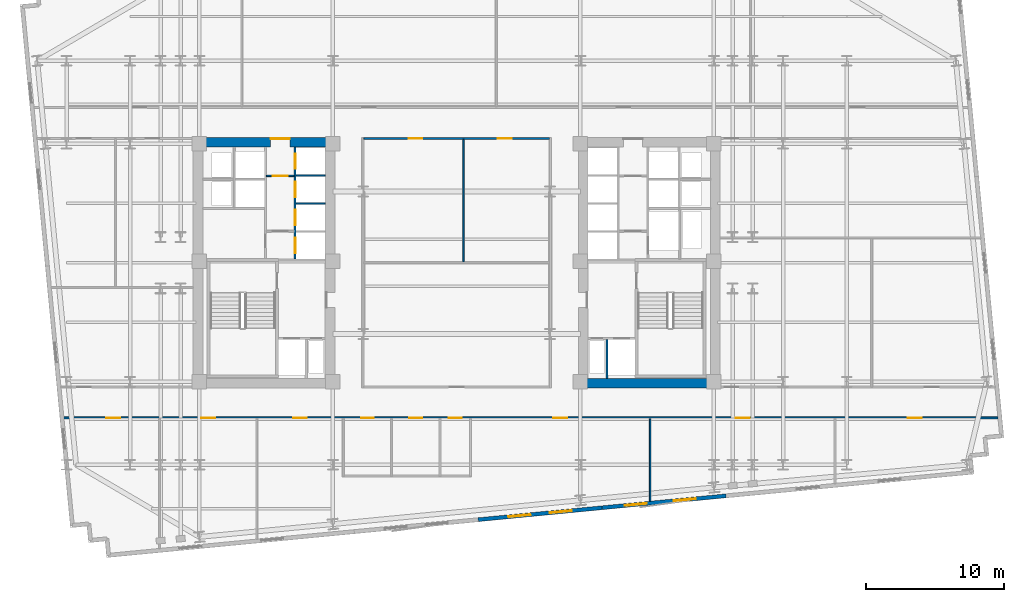
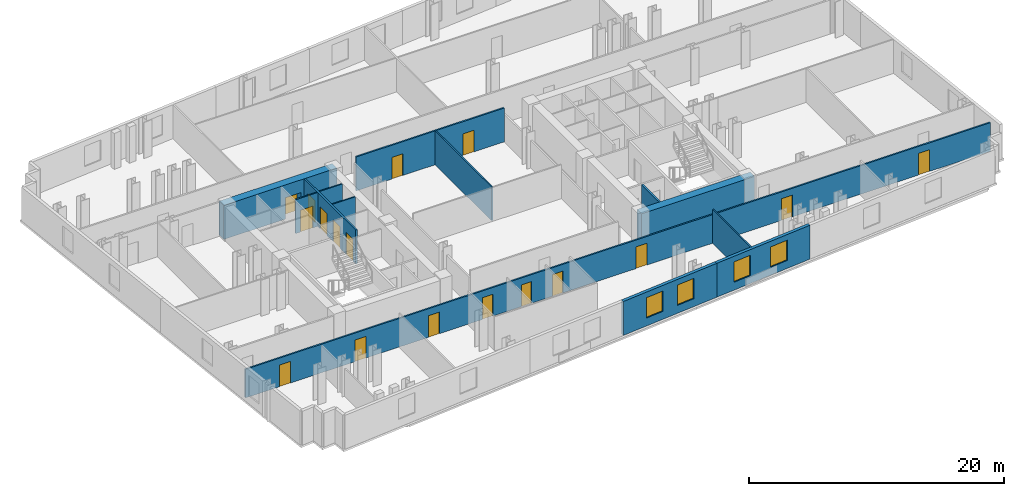
# One storey, part 5 of 10: 17 doors, 13 walls, 4 windows, 21 openings.
"""IFC4 building model written with IfcOpenShell, lengths in metres."""

from ifc_helpers import new_model, si_unit, direction, frame, frame_2d, origin, place, context, subcontext, project, spatial, rectangle, extrude, material, layer, layer_set, type_object, element, fill, save


model = new_model("IFC4")

# Units and contexts
model_context = context("Model", 3, precision=1e-05, world=origin(), true_north=direction((0.0, 1.0)))
body_context = subcontext(model_context, "Body", "Model", "MODEL_VIEW")
ifc_project = project(units=[si_unit("LENGTHUNIT", "METRE"), si_unit("AREAUNIT", "SQUARE_METRE"), si_unit("VOLUMEUNIT", "CUBIC_METRE"), si_unit("PLANEANGLEUNIT", "RADIAN"), si_unit("MASSUNIT", "GRAM", prefix="KILO")], contexts=[model_context])

# Site, building, storey
site_placement = place(None, origin())
site = spatial("IfcSite", under=ifc_project, at=site_placement, CompositionType="ELEMENT")
building_placement = place(site_placement, origin())
building = spatial("IfcBuilding", under=site, at=building_placement, Name="Velakula Bourse", CompositionType="ELEMENT")
storey_placement = place(building_placement, frame((0.0, 0.0, 94.89990234375)))
storey = spatial("IfcBuildingStorey", under=building, at=storey_placement, Name="L25", CompositionType="ELEMENT", Elevation=94.89990234375)

# Wall, opening, door
ifc_material_1 = material(Name="Concrete M70 (fck 70 MPa)", Category="concrete")
ifc_layer_1 = layer(ifc_material_1, 0.699951171875, Name="Concrete M70 (fck 70 MPa)", Category="concrete")
ifc_layer_set_1 = layer_set([ifc_layer_1], Name="Concrete M70 (fck 70 MPa)")
wall_type_1 = type_object("IfcWallType", Name="WL-CORE-700", PredefinedType="SHEAR", material=ifc_layer_set_1)
wall_1_placement = place(storey_placement, frame((-19.050048828125, 8.699951171875, 0.0), z_axis=(0.0, 0.0, 1.0), x_axis=(1.0, 0.0, 0.0)))
wall_1 = element("IfcWall", 1, at=wall_1_placement, inside=storey, type_object=wall_type_1, Name="L25 Core W Shear Wall N", PredefinedType="SHEAR", context=body_context, shape_type="SweptSolid", body=[
    extrude(rectangle(XDim=10.25, YDim=0.699951171875, at=frame_2d((5.125, 0.0))), origin(), (0.0, 0.0, 1.0), 3.27001953125),
])
opening_1_placement = place(wall_1_placement, frame((5.60009765625, 0.0, 0.0)))
opening_1 = element("IfcOpeningElement", 2, at=opening_1_placement, cuts=wall_1, Name="Opening D-LLW", PredefinedType="OPENING", context=body_context, shape_type="SweptSolid", body=[
    extrude(rectangle(XDim=1.39990234375, YDim=2.050048828125, at=frame_2d((0.699951171875, 1.02490234375))), frame((0.0, 0.35986328125, 0.0), z_axis=(0.0, -1.0, 0.0), x_axis=(1.0, 0.0, 0.0)), (0.0, 0.0, 1.0), 0.719970703125),
])
ifc_material_2 = material(Name="Fire-rated hardwood flush architectural door", Category="wood")
door_type_1 = type_object("IfcDoorType", Name="DR-DBL-FD60-1400", OperationType="DOUBLE_DOOR_SINGLE_SWING", PredefinedType="DOOR", material=ifc_material_2)
door_1_placement = place(opening_1_placement, origin())
door_1 = element("IfcDoor", 3, at=door_1_placement, inside=storey, type_object=door_type_1, Name="L25 Core W Lift Lobby Corridor Double Door", OperationType="DOUBLE_DOOR_SINGLE_SWING", OverallHeight=2.050048828125, OverallWidth=1.39990234375, PredefinedType="DOOR", context=body_context, shape_type="SweptSolid", body=[
    extrude(rectangle(XDim=1.39990234375, YDim=2.050048828125, at=frame_2d((0.699951171875, 1.02490234375))), frame((0.0, 0.294921875, 0.0), z_axis=(0.0, -1.0, 0.0), x_axis=(1.0, 0.0, 0.0)), (0.0, 0.0, 1.0), 0.050048828125),
])
fill(opening_1, door_1)

# Wall
wall_2_placement = place(storey_placement, frame((8.800048828125, -8.699951171875, 0.0), z_axis=(0.0, 0.0, 1.0), x_axis=(1.0, 0.0, 0.0)))
element("IfcWall", 4, at=wall_2_placement, inside=storey, type_object=wall_type_1, Name="L25 Core E Shear Wall S", PredefinedType="SHEAR", context=body_context, shape_type="SweptSolid", body=[
    extrude(rectangle(XDim=10.25, YDim=0.699951171875, at=frame_2d((5.125, 0.0))), origin(), (0.0, 0.0, 1.0), 3.27001953125),
])

# Wall, openings, windows
ifc_material_3 = material(Name="Red kilned clay facing brick masonry", Category="masonry")
ifc_layer_2 = layer(ifc_material_3, 0.280029296875, Name="Red kilned clay facing brick masonry", Category="masonry")
ifc_layer_set_2 = layer_set([ifc_layer_2], Name="Red kilned clay facing brick masonry")
wall_type_2 = type_object("IfcWallType", Name="WL-EXT-BRK-280", PredefinedType="STANDARD", material=ifc_layer_set_2)
wall_3_placement = place(storey_placement, frame((10.51513671875, -17.7109375, 0.0), z_axis=(0.0, 0.0, 1.0), x_axis=(-0.995397043619, -0.095836973841, 0.0)))
wall_3 = element("IfcWall", 5, at=wall_3_placement, inside=storey, type_object=wall_type_2, Name="L25 S Brick Spandrel Wall B3", PredefinedType="STANDARD", context=body_context, shape_type="SweptSolid", body=[
    extrude(rectangle(XDim=9.000244140625, YDim=0.280029296875, at=frame_2d((4.5, 0.0))), origin(), (0.0, 0.0, 1.0), 3.25),
])
opening_2_placement = place(wall_3_placement, frame((2.199951171875, 0.0, 0.760009765625)))
opening_2 = element("IfcOpeningElement", 6, at=opening_2_placement, cuts=wall_3, Name="Opening W-02", PredefinedType="OPENING", context=body_context, shape_type="SweptSolid", body=[
    extrude(rectangle(XDim=1.60009765625, YDim=1.949951171875, at=frame_2d((0.800048828125, 0.97509765625))), frame((0.0, 0.14990234375, 0.0), z_axis=(0.0, -1.0, 0.0), x_axis=(1.0, 0.0, 0.0)), (0.0, 0.0, 1.0), 0.300048828125),
])
opening_3_placement = place(wall_3_placement, frame((5.199951171875, 0.0, 0.760009765625)))
opening_3 = element("IfcOpeningElement", 7, at=opening_3_placement, cuts=wall_3, Name="Opening W-02", PredefinedType="OPENING", context=body_context, shape_type="SweptSolid", body=[
    extrude(rectangle(XDim=1.60009765625, YDim=1.949951171875, at=frame_2d((0.800048828125, 0.97509765625))), frame((0.0, 0.14990234375, 0.0), z_axis=(0.0, -1.0, 0.0), x_axis=(1.0, 0.0, 0.0)), (0.0, 0.0, 1.0), 0.300048828125),
])
ifc_material_4 = material(Name="Double-glazed solar-control Low-E glass", Category="glass")
window_type = type_object("IfcWindowType", Name="WIN-TWR-1600x2100", PartitioningType="SINGLE_PANEL", PredefinedType="WINDOW", material=ifc_material_4)
window_1_placement = place(opening_2_placement, origin())
window_1 = element("IfcWindow", 8, at=window_1_placement, inside=storey, type_object=window_type, Name="L25 Deep-Set Recessed Window 1", OverallHeight=1.949951171875, OverallWidth=1.60009765625, PartitioningType="SINGLE_PANEL", PredefinedType="WINDOW", context=body_context, shape_type="SweptSolid", body=[
    extrude(rectangle(XDim=1.60009765625, YDim=1.949951171875, at=frame_2d((0.800048828125, 0.97509765625))), frame((0.0, 0.030029296875, 0.0), z_axis=(0.0, -1.0, 0.0), x_axis=(1.0, 0.0, 0.0)), (0.0, 0.0, 1.0), 0.06005859375),
])
fill(opening_2, window_1)
window_2_placement = place(opening_3_placement, origin())
window_2 = element("IfcWindow", 9, at=window_2_placement, inside=storey, type_object=window_type, Name="L25 Deep-Set Recessed Window 2", OverallHeight=1.949951171875, OverallWidth=1.60009765625, PartitioningType="SINGLE_PANEL", PredefinedType="WINDOW", context=body_context, shape_type="SweptSolid", body=[
    extrude(rectangle(XDim=1.60009765625, YDim=1.949951171875, at=frame_2d((0.800048828125, 0.97509765625))), frame((0.0, 0.030029296875, 0.0), z_axis=(0.0, -1.0, 0.0), x_axis=(1.0, 0.0, 0.0)), (0.0, 0.0, 1.0), 0.06005859375),
])
fill(opening_3, window_2)

wall_4_placement = place(storey_placement, frame((19.4736328125, -16.848388671875, 0.0), z_axis=(0.0, 0.0, 1.0), x_axis=(-0.995396794462, -0.09583956164, 0.0)))
wall_4 = element("IfcWall", 10, at=wall_4_placement, inside=storey, type_object=wall_type_2, Name="L25 S Brick Spandrel Wall B4", PredefinedType="STANDARD", context=body_context, shape_type="SweptSolid", body=[
    extrude(rectangle(XDim=9.0, YDim=0.280029296875, at=frame_2d((4.5, 0.0))), origin(), (0.0, 0.0, 1.0), 3.25),
])
opening_4_placement = place(wall_4_placement, frame((2.199951171875, 0.0, 0.760009765625)))
opening_4 = element("IfcOpeningElement", 11, at=opening_4_placement, cuts=wall_4, Name="Opening W-02", PredefinedType="OPENING", context=body_context, shape_type="SweptSolid", body=[
    extrude(rectangle(XDim=1.60009765625, YDim=1.949951171875, at=frame_2d((0.800048828125, 0.97509765625))), frame((0.0, 0.14990234375, 0.0), z_axis=(0.0, -1.0, 0.0), x_axis=(1.0, 0.0, 0.0)), (0.0, 0.0, 1.0), 0.300048828125),
])
opening_5_placement = place(wall_4_placement, frame((5.75, 0.0, 0.760009765625)))
opening_5 = element("IfcOpeningElement", 12, at=opening_5_placement, cuts=wall_4, Name="Opening W-02", PredefinedType="OPENING", context=body_context, shape_type="SweptSolid", body=[
    extrude(rectangle(XDim=1.60009765625, YDim=1.949951171875, at=frame_2d((0.800048828125, 0.97509765625))), frame((0.0, 0.14990234375, 0.0), z_axis=(0.0, -1.0, 0.0), x_axis=(1.0, 0.0, 0.0)), (0.0, 0.0, 1.0), 0.300048828125),
])
window_3_placement = place(opening_4_placement, origin())
window_3 = element("IfcWindow", 13, at=window_3_placement, inside=storey, type_object=window_type, Name="L25 Deep-Set Recessed Window 1", OverallHeight=1.949951171875, OverallWidth=1.60009765625, PartitioningType="SINGLE_PANEL", PredefinedType="WINDOW", context=body_context, shape_type="SweptSolid", body=[
    extrude(rectangle(XDim=1.60009765625, YDim=1.949951171875, at=frame_2d((0.800048828125, 0.97509765625))), frame((0.0, 0.030029296875, 0.0), z_axis=(0.0, -1.0, 0.0), x_axis=(1.0, 0.0, 0.0)), (0.0, 0.0, 1.0), 0.06005859375),
])
fill(opening_4, window_3)
window_4_placement = place(opening_5_placement, origin())
window_4 = element("IfcWindow", 14, at=window_4_placement, inside=storey, type_object=window_type, Name="L25 Deep-Set Recessed Window 2", OverallHeight=1.949951171875, OverallWidth=1.60009765625, PartitioningType="SINGLE_PANEL", PredefinedType="WINDOW", context=body_context, shape_type="SweptSolid", body=[
    extrude(rectangle(XDim=1.60009765625, YDim=1.949951171875, at=frame_2d((0.800048828125, 0.97509765625))), frame((0.0, 0.030029296875, 0.0), z_axis=(0.0, -1.0, 0.0), x_axis=(1.0, 0.0, 0.0)), (0.0, 0.0, 1.0), 0.06005859375),
])
fill(opening_5, window_4)

# Wall, opening, door
ifc_material_5 = material(Name="Fire-rated double-layer gypsum drywall partition", Category="gypsum")
ifc_layer_3 = layer(ifc_material_5, 0.1201171875, Name="Fire-rated double-layer gypsum drywall partition", Category="gypsum")
ifc_layer_set_3 = layer_set([ifc_layer_3], Name="Fire-rated double-layer gypsum drywall partition")
wall_type_3 = type_object("IfcWallType", Name="WL-PART-120", PredefinedType="STANDARD", material=ifc_layer_set_3)
wall_5_placement = place(storey_placement, frame((-13.75, 6.280029296875, 0.0), z_axis=(0.0, 0.0, 1.0), x_axis=(1.0, 0.0, 0.0)))
wall_5 = element("IfcWall", 15, at=wall_5_placement, inside=storey, type_object=wall_type_3, Name="L25 Interior Partition WL-CRW-L25-LL-K3B", PredefinedType="STANDARD", context=body_context, shape_type="SweptSolid", body=[
    extrude(rectangle(XDim=2.0, YDim=0.1201171875, at=frame_2d((1.0, 0.0))), origin(), (0.0, 0.0, 1.0), 3.25),
])
opening_6_placement = place(wall_5_placement, frame((0.449951171875, 0.0, 0.0)))
opening_6 = element("IfcOpeningElement", 16, at=opening_6_placement, cuts=wall_5, Name="Opening D-LK3", PredefinedType="OPENING", context=body_context, shape_type="SweptSolid", body=[
    extrude(rectangle(XDim=1.10009765625, YDim=2.10009765625, at=frame_2d((0.550048828125, 1.050048828125))), frame((0.0, 0.070068359375, 0.0), z_axis=(0.0, -1.0, 0.0), x_axis=(1.0, 0.0, 0.0)), (0.0, 0.0, 1.0), 0.14013671875),
])
door_type_2 = type_object("IfcDoorType", Name="DR-FD60-1100x2100", OperationType="NOTDEFINED", PredefinedType="DOOR", material=ifc_material_2)
door_2_placement = place(opening_6_placement, origin())
door_2 = element("IfcDoor", 17, at=door_2_placement, inside=storey, type_object=door_type_2, Name="L25 Core W Lift Lobby Vestibule Door B", OperationType="SINGLE_SWING_RIGHT", OverallHeight=2.10009765625, OverallWidth=1.10009765625, PredefinedType="DOOR", context=body_context, shape_type="SweptSolid", body=[
    extrude(rectangle(XDim=1.10009765625, YDim=2.10009765625, at=frame_2d((0.550048828125, 1.050048828125))), frame((0.0, 0.02490234375, 0.0), z_axis=(0.0, -1.0, 0.0), x_axis=(1.0, 0.0, 0.0)), (0.0, 0.0, 1.0), 0.050048828125),
])
fill(opening_6, door_2)

# Walls
for number, where, z_axis, x_axis, name in (
    (18, (-11.60009765625, 4.284912109375, 0.0), (0.0, 0.0, 1.0), (1.0, 0.0, 0.0), "L25 Interior Partition WL-CRW-L25-BDIV-1"),
    (19, (-11.60009765625, 6.31494140625, 0.0), (0.0, 0.0, 1.0), (1.0, 0.0, 0.0), "L25 Interior Partition WL-CRW-L25-BDIV-2"),
):
    element("IfcWall", number, at=place(storey_placement, frame(where, z_axis=z_axis, x_axis=x_axis)), inside=storey, type_object=wall_type_3, Name=name, PredefinedType="STANDARD", context=body_context, shape_type="SweptSolid", body=[
        extrude(rectangle(XDim=2.10009765625, YDim=0.110107421875, at=frame_2d((1.050048828125, 0.0))), origin(), (0.0, 0.0, 1.0), 3.25),
    ])
wall_6_placement = place(storey_placement, frame((13.986083984375, -17.256103515625, 0.0), z_axis=(0.0, 0.0, 1.0), x_axis=(0.0, 1.0, 0.0)))
element("IfcWall", 20, at=wall_6_placement, inside=storey, type_object=wall_type_3, Name="L25 Interior Partition WL-INT-L25-SR-D7", PredefinedType="STANDARD", context=body_context, shape_type="SweptSolid", body=[
    extrude(rectangle(XDim=5.966064453125, YDim=0.1201171875, at=frame_2d((2.98291015625, 0.0))), origin(), (0.0, 0.0, 1.0), 3.25),
])

# Wall, openings, doors
ifc_layer_4 = layer(ifc_material_5, 0.139892578125, Name="Fire-rated double-layer gypsum drywall partition", Category="gypsum")
ifc_layer_set_4 = layer_set([ifc_layer_4], Name="Fire-rated double-layer gypsum drywall partition")
wall_type_4 = type_object("IfcWallType", Name="WL-PART-140", PredefinedType="STANDARD", material=ifc_layer_set_4)
wall_7_placement = place(storey_placement, frame((-28.40625, -11.219970703125, 0.0), z_axis=(0.0, 0.0, 1.0), x_axis=(1.0, 0.0, 0.0)))
wall_7 = element("IfcWall", 21, at=wall_7_placement, inside=storey, type_object=wall_type_4, Name="L25 Interior Partition WL-INT-L25-S-CORR", PredefinedType="STANDARD", context=body_context, shape_type="SweptSolid", body=[
    extrude(rectangle(XDim=67.551025390625, YDim=0.139892578125, at=frame_2d((33.775390625, 0.0))), origin(), (0.0, 0.0, 1.0), 2.7451171875),
])
opening_7_placement = place(wall_7_placement, frame((21.496337890625, 0.0, 0.0)))
opening_7 = element("IfcOpeningElement", 22, at=opening_7_placement, cuts=wall_7, Name="Opening D-WT1", PredefinedType="OPENING", context=body_context, shape_type="SweptSolid", body=[
    extrude(rectangle(XDim=0.919921875, YDim=2.080078125, at=frame_2d((0.4599609375, 1.0400390625))), frame((0.0, 0.079833984375, 0.0), z_axis=(0.0, -1.0, 0.0), x_axis=(1.0, 0.0, 0.0)), (0.0, 0.0, 1.0), 0.159912109375),
])
opening_8_placement = place(wall_7_placement, frame((24.996337890625, 0.0, 0.0)))
opening_8 = element("IfcOpeningElement", 23, at=opening_8_placement, cuts=wall_7, Name="Opening D-WT1", PredefinedType="OPENING", context=body_context, shape_type="SweptSolid", body=[
    extrude(rectangle(XDim=0.919921875, YDim=2.080078125, at=frame_2d((0.4599609375, 1.0400390625))), frame((0.0, 0.079833984375, 0.0), z_axis=(0.0, -1.0, 0.0), x_axis=(1.0, 0.0, 0.0)), (0.0, 0.0, 1.0), 0.159912109375),
])
opening_9_placement = place(wall_7_placement, frame((27.84619140625, 0.0, 0.0)))
opening_9 = element("IfcOpeningElement", 24, at=opening_9_placement, cuts=wall_7, Name="Opening D-WC1", PredefinedType="OPENING", context=body_context, shape_type="SweptSolid", body=[
    extrude(rectangle(XDim=0.919921875, YDim=2.080078125, at=frame_2d((0.4599609375, 1.0400390625))), frame((0.0, 0.079833984375, 0.0), z_axis=(0.0, -1.0, 0.0), x_axis=(1.0, 0.0, 0.0)), (0.0, 0.0, 1.0), 0.159912109375),
])
opening_10_placement = place(wall_7_placement, frame((3.0830078125, 0.0, 0.0)))
opening_10 = element("IfcOpeningElement", 25, at=opening_10_placement, cuts=wall_7, Name="Opening D-OF1", PredefinedType="OPENING", context=body_context, shape_type="SweptSolid", body=[
    extrude(rectangle(XDim=1.0, YDim=2.080078125, at=frame_2d((0.5, 1.0400390625))), frame((0.0, 0.079833984375, 0.0), z_axis=(0.0, -1.0, 0.0), x_axis=(1.0, 0.0, 0.0)), (0.0, 0.0, 1.0), 0.159912109375),
])
opening_11_placement = place(wall_7_placement, frame((9.938720703125, 0.0, 0.0)))
opening_11 = element("IfcOpeningElement", 26, at=opening_11_placement, cuts=wall_7, Name="Opening D-OF1", PredefinedType="OPENING", context=body_context, shape_type="SweptSolid", body=[
    extrude(rectangle(XDim=1.0, YDim=2.080078125, at=frame_2d((0.5, 1.0400390625))), frame((0.0, 0.079833984375, 0.0), z_axis=(0.0, -1.0, 0.0), x_axis=(1.0, 0.0, 0.0)), (0.0, 0.0, 1.0), 0.159912109375),
])
opening_12_placement = place(wall_7_placement, frame((16.584716796875, 0.0, 0.0)))
opening_12 = element("IfcOpeningElement", 27, at=opening_12_placement, cuts=wall_7, Name="Opening D-OF1", PredefinedType="OPENING", context=body_context, shape_type="SweptSolid", body=[
    extrude(rectangle(XDim=1.0, YDim=2.080078125, at=frame_2d((0.5, 1.0400390625))), frame((0.0, 0.079833984375, 0.0), z_axis=(0.0, -1.0, 0.0), x_axis=(1.0, 0.0, 0.0)), (0.0, 0.0, 1.0), 0.159912109375),
])
opening_13_placement = place(wall_7_placement, frame((35.3994140625, 0.0, 0.0)))
opening_13 = element("IfcOpeningElement", 28, at=opening_13_placement, cuts=wall_7, Name="Opening D-OF1", PredefinedType="OPENING", context=body_context, shape_type="SweptSolid", body=[
    extrude(rectangle(XDim=1.0, YDim=2.080078125, at=frame_2d((0.5, 1.0400390625))), frame((0.0, 0.079833984375, 0.0), z_axis=(0.0, -1.0, 0.0), x_axis=(1.0, 0.0, 0.0)), (0.0, 0.0, 1.0), 0.159912109375),
])
opening_14_placement = place(wall_7_placement, frame((48.576416015625, 0.0, 0.0)))
opening_14 = element("IfcOpeningElement", 29, at=opening_14_placement, cuts=wall_7, Name="Opening D-OF1", PredefinedType="OPENING", context=body_context, shape_type="SweptSolid", body=[
    extrude(rectangle(XDim=1.0, YDim=2.080078125, at=frame_2d((0.5, 1.0400390625))), frame((0.0, 0.079833984375, 0.0), z_axis=(0.0, -1.0, 0.0), x_axis=(1.0, 0.0, 0.0)), (0.0, 0.0, 1.0), 0.159912109375),
])
opening_15_placement = place(wall_7_placement, frame((61.029541015625, 0.0, 0.0)))
opening_15 = element("IfcOpeningElement", 30, at=opening_15_placement, cuts=wall_7, Name="Opening D-OF1", PredefinedType="OPENING", context=body_context, shape_type="SweptSolid", body=[
    extrude(rectangle(XDim=1.0, YDim=2.080078125, at=frame_2d((0.5, 1.0400390625))), frame((0.0, 0.079833984375, 0.0), z_axis=(0.0, -1.0, 0.0), x_axis=(1.0, 0.0, 0.0)), (0.0, 0.0, 1.0), 0.159912109375),
])
door_type_3 = type_object("IfcDoorType", Name="DR-OFF-1000", OperationType="NOTDEFINED", PredefinedType="DOOR", material=ifc_material_2)
door_3_placement = place(opening_10_placement, origin())
door_3 = element("IfcDoor", 31, at=door_3_placement, inside=storey, type_object=door_type_3, Name="L25 Breakout Dining Lounge Door", OperationType="SINGLE_SWING_RIGHT", OverallHeight=2.080078125, OverallWidth=1.0, PredefinedType="DOOR", context=body_context, shape_type="SweptSolid", body=[
    extrude(rectangle(XDim=1.0, YDim=2.080078125, at=frame_2d((0.5, 1.0400390625))), frame((0.0, 0.02490234375, 0.0), z_axis=(0.0, -1.0, 0.0), x_axis=(1.0, 0.0, 0.0)), (0.0, 0.0, 1.0), 0.050048828125),
])
fill(opening_10, door_3)
door_4_placement = place(opening_11_placement, origin())
door_4 = element("IfcDoor", 32, at=door_4_placement, inside=storey, type_object=door_type_3, Name="L25 Primary Dealer Office Door", OperationType="SINGLE_SWING_LEFT", OverallHeight=2.080078125, OverallWidth=1.0, PredefinedType="DOOR", context=body_context, shape_type="SweptSolid", body=[
    extrude(rectangle(XDim=1.0, YDim=2.080078125, at=frame_2d((0.5, 1.0400390625))), frame((0.0, 0.02490234375, 0.0), z_axis=(0.0, -1.0, 0.0), x_axis=(1.0, 0.0, 0.0)), (0.0, 0.0, 1.0), 0.050048828125),
])
fill(opening_11, door_4)
door_5_placement = place(opening_12_placement, origin())
door_5 = element("IfcDoor", 33, at=door_5_placement, inside=storey, type_object=door_type_3, Name="L25 Arbitration Conference Room Door", OperationType="SINGLE_SWING_RIGHT", OverallHeight=2.080078125, OverallWidth=1.0, PredefinedType="DOOR", context=body_context, shape_type="SweptSolid", body=[
    extrude(rectangle(XDim=1.0, YDim=2.080078125, at=frame_2d((0.5, 1.0400390625))), frame((0.0, 0.02490234375, 0.0), z_axis=(0.0, -1.0, 0.0), x_axis=(1.0, 0.0, 0.0)), (0.0, 0.0, 1.0), 0.050048828125),
])
fill(opening_12, door_5)
door_6_placement = place(opening_13_placement, origin())
door_6 = element("IfcDoor", 34, at=door_6_placement, inside=storey, type_object=door_type_3, Name="L25 Tea Room Kitchenette Door", OperationType="SINGLE_SWING_LEFT", OverallHeight=2.080078125, OverallWidth=1.0, PredefinedType="DOOR", context=body_context, shape_type="SweptSolid", body=[
    extrude(rectangle(XDim=1.0, YDim=2.080078125, at=frame_2d((0.5, 1.0400390625))), frame((0.0, 0.02490234375, 0.0), z_axis=(0.0, -1.0, 0.0), x_axis=(1.0, 0.0, 0.0)), (0.0, 0.0, 1.0), 0.050048828125),
])
fill(opening_13, door_6)
door_7_placement = place(opening_14_placement, origin())
door_7 = element("IfcDoor", 35, at=door_7_placement, inside=storey, type_object=door_type_3, Name="L25 Market Surveillance Control Workspace Door", OperationType="SINGLE_SWING_RIGHT", OverallHeight=2.080078125, OverallWidth=1.0, PredefinedType="DOOR", context=body_context, shape_type="SweptSolid", body=[
    extrude(rectangle(XDim=1.0, YDim=2.080078125, at=frame_2d((0.5, 1.0400390625))), frame((0.0, 0.02490234375, 0.0), z_axis=(0.0, -1.0, 0.0), x_axis=(1.0, 0.0, 0.0)), (0.0, 0.0, 1.0), 0.050048828125),
])
fill(opening_14, door_7)
door_8_placement = place(opening_15_placement, origin())
door_8 = element("IfcDoor", 36, at=door_8_placement, inside=storey, type_object=door_type_3, Name="L25 Compliance Review Office Door", OperationType="SINGLE_SWING_LEFT", OverallHeight=2.080078125, OverallWidth=1.0, PredefinedType="DOOR", context=body_context, shape_type="SweptSolid", body=[
    extrude(rectangle(XDim=1.0, YDim=2.080078125, at=frame_2d((0.5, 1.0400390625))), frame((0.0, 0.02490234375, 0.0), z_axis=(0.0, -1.0, 0.0), x_axis=(1.0, 0.0, 0.0)), (0.0, 0.0, 1.0), 0.050048828125),
])
fill(opening_15, door_8)
door_type_4 = type_object("IfcDoorType", Name="DR-WC-950", OperationType="NOTDEFINED", PredefinedType="DOOR", material=ifc_material_2)
door_9_placement = place(opening_7_placement, origin())
door_9 = element("IfcDoor", 37, at=door_9_placement, inside=storey, type_object=door_type_4, Name="L25 Male Staff Toilet Door", OperationType="SINGLE_SWING_LEFT", OverallHeight=2.080078125, OverallWidth=0.919921875, PredefinedType="DOOR", context=body_context, shape_type="SweptSolid", body=[
    extrude(rectangle(XDim=0.919921875, YDim=2.080078125, at=frame_2d((0.4599609375, 1.0400390625))), frame((0.0, 0.02490234375, 0.0), z_axis=(0.0, -1.0, 0.0), x_axis=(1.0, 0.0, 0.0)), (0.0, 0.0, 1.0), 0.050048828125),
])
fill(opening_7, door_9)
door_10_placement = place(opening_8_placement, origin())
door_10 = element("IfcDoor", 38, at=door_10_placement, inside=storey, type_object=door_type_4, Name="L25 Female Staff Toilet Door", OperationType="SINGLE_SWING_RIGHT", OverallHeight=2.080078125, OverallWidth=0.919921875, PredefinedType="DOOR", context=body_context, shape_type="SweptSolid", body=[
    extrude(rectangle(XDim=0.919921875, YDim=2.080078125, at=frame_2d((0.4599609375, 1.0400390625))), frame((0.0, 0.02490234375, 0.0), z_axis=(0.0, -1.0, 0.0), x_axis=(1.0, 0.0, 0.0)), (0.0, 0.0, 1.0), 0.050048828125),
])
fill(opening_8, door_10)
door_11_placement = place(opening_9_placement, origin())
door_11 = element("IfcDoor", 39, at=door_11_placement, inside=storey, type_object=door_type_4, Name="L25 Accessible WC Door", OperationType="SINGLE_SWING_LEFT", OverallHeight=2.080078125, OverallWidth=0.919921875, PredefinedType="DOOR", context=body_context, shape_type="SweptSolid", body=[
    extrude(rectangle(XDim=0.919921875, YDim=2.080078125, at=frame_2d((0.4599609375, 1.0400390625))), frame((0.0, 0.02490234375, 0.0), z_axis=(0.0, -1.0, 0.0), x_axis=(1.0, 0.0, 0.0)), (0.0, 0.0, 1.0), 0.050048828125),
])
fill(opening_9, door_11)

wall_8_placement = place(storey_placement, frame((-6.7099609375, 8.97998046875, 0.0), z_axis=(0.0, 0.0, 1.0), x_axis=(1.0, 0.0, 0.0)))
wall_8 = element("IfcWall", 40, at=wall_8_placement, inside=storey, type_object=wall_type_4, Name="L25 Interior Partition WL-INT-L25-MID-N", PredefinedType="STANDARD", context=body_context, shape_type="SweptSolid", body=[
    extrude(rectangle(XDim=13.419921875, YDim=0.139892578125, at=frame_2d((6.7099609375, 0.0))), origin(), (0.0, 0.0, 1.0), 3.25),
])
opening_16_placement = place(wall_8_placement, frame((3.23095703125, 0.0, 0.0)))
opening_16 = element("IfcOpeningElement", 41, at=opening_16_placement, cuts=wall_8, Name="Opening D-OF1", PredefinedType="OPENING", context=body_context, shape_type="SweptSolid", body=[
    extrude(rectangle(XDim=1.0, YDim=2.080078125, at=frame_2d((0.5, 1.0400390625))), frame((0.0, 0.079833984375, 0.0), z_axis=(0.0, -1.0, 0.0), x_axis=(1.0, 0.0, 0.0)), (0.0, 0.0, 1.0), 0.159912109375),
])
opening_17_placement = place(wall_8_placement, frame((9.68896484375, 0.0, 0.0)))
opening_17 = element("IfcOpeningElement", 42, at=opening_17_placement, cuts=wall_8, Name="Opening D-OF1", PredefinedType="OPENING", context=body_context, shape_type="SweptSolid", body=[
    extrude(rectangle(XDim=1.0, YDim=2.080078125, at=frame_2d((0.5, 1.0400390625))), frame((0.0, 0.079833984375, 0.0), z_axis=(0.0, -1.0, 0.0), x_axis=(1.0, 0.0, 0.0)), (0.0, 0.0, 1.0), 0.159912109375),
])
door_12_placement = place(opening_16_placement, origin())
door_12 = element("IfcDoor", 43, at=door_12_placement, inside=storey, type_object=door_type_3, Name="L25 Risk Committee Room Door", OperationType="SINGLE_SWING_LEFT", OverallHeight=2.080078125, OverallWidth=1.0, PredefinedType="DOOR", context=body_context, shape_type="SweptSolid", body=[
    extrude(rectangle(XDim=1.0, YDim=2.080078125, at=frame_2d((0.5, 1.0400390625))), frame((0.0, 0.02490234375, 0.0), z_axis=(0.0, -1.0, 0.0), x_axis=(1.0, 0.0, 0.0)), (0.0, 0.0, 1.0), 0.050048828125),
])
fill(opening_16, door_12)
door_13_placement = place(opening_17_placement, origin())
door_13 = element("IfcDoor", 44, at=door_13_placement, inside=storey, type_object=door_type_3, Name="L25 Surveillance Review Office Door", OperationType="SINGLE_SWING_RIGHT", OverallHeight=2.080078125, OverallWidth=1.0, PredefinedType="DOOR", context=body_context, shape_type="SweptSolid", body=[
    extrude(rectangle(XDim=1.0, YDim=2.080078125, at=frame_2d((0.5, 1.0400390625))), frame((0.0, 0.02490234375, 0.0), z_axis=(0.0, -1.0, 0.0), x_axis=(1.0, 0.0, 0.0)), (0.0, 0.0, 1.0), 0.050048828125),
])
fill(opening_17, door_13)

# Wall
wall_9_placement = place(storey_placement, frame((0.5, 0.06005859375, 0.0), z_axis=(0.0, 0.0, 1.0), x_axis=(0.0, 1.0, 0.0)))
element("IfcWall", 45, at=wall_9_placement, inside=storey, type_object=wall_type_4, Name="L25 Interior Partition WL-INT-L25-MD3V", PredefinedType="STANDARD", context=body_context, shape_type="SweptSolid", body=[
    extrude(rectangle(XDim=8.849853515625, YDim=0.1201171875, at=frame_2d((4.4248046875, 0.0))), origin(), (0.0, 0.0, 1.0), 3.25),
])

# Wall, openings, doors
ifc_material_6 = material(Name="Autoclaved aerated concrete blockwork masonry", Category="masonry")
ifc_layer_5 = layer(ifc_material_6, 0.14990234375, Name="Autoclaved aerated concrete blockwork masonry", Category="masonry")
ifc_layer_set_5 = layer_set([ifc_layer_5], Name="Autoclaved aerated concrete blockwork masonry")
wall_type_5 = type_object("IfcWallType", Name="WL-SHAFT-150", PredefinedType="STANDARD", material=ifc_layer_set_5)
wall_10_placement = place(storey_placement, frame((-11.675048828125, 0.27001953125, 0.0), z_axis=(0.0, 0.0, 1.0), x_axis=(0.0, 1.0, 0.0)))
wall_10 = element("IfcWall", 46, at=wall_10_placement, inside=storey, type_object=wall_type_5, Name="L25 Interior Partition WL-CRW-L25-BANK-F", PredefinedType="STANDARD", context=body_context, shape_type="SweptSolid", body=[
    extrude(rectangle(XDim=8.080078125, YDim=0.14990234375, at=frame_2d((4.0400390625, 0.0))), origin(), (0.0, 0.0, 1.0), 3.25),
])
opening_18_placement = place(wall_10_placement, frame((0.419921875, 0.0, 0.0)))
opening_18 = element("IfcOpeningElement", 47, at=opening_18_placement, cuts=wall_10, Name="Opening LD-P1", PredefinedType="OPENING", context=body_context, shape_type="SweptSolid", body=[
    extrude(rectangle(XDim=1.10009765625, YDim=2.10009765625, at=frame_2d((0.550048828125, 1.050048828125))), frame((0.0, 0.0849609375, 0.0), z_axis=(0.0, -1.0, 0.0), x_axis=(1.0, 0.0, 0.0)), (0.0, 0.0, 1.0), 0.169921875),
])
opening_19_placement = place(wall_10_placement, frame((2.449951171875, 0.0, 0.0)))
opening_19 = element("IfcOpeningElement", 48, at=opening_19_placement, cuts=wall_10, Name="Opening LD-P2", PredefinedType="OPENING", context=body_context, shape_type="SweptSolid", body=[
    extrude(rectangle(XDim=1.10009765625, YDim=2.10009765625, at=frame_2d((0.550048828125, 1.050048828125))), frame((0.0, 0.0849609375, 0.0), z_axis=(0.0, -1.0, 0.0), x_axis=(1.0, 0.0, 0.0)), (0.0, 0.0, 1.0), 0.169921875),
])
opening_20_placement = place(wall_10_placement, frame((4.47998046875, 0.0, 0.0)))
opening_20 = element("IfcOpeningElement", 49, at=opening_20_placement, cuts=wall_10, Name="Opening LD-P3", PredefinedType="OPENING", context=body_context, shape_type="SweptSolid", body=[
    extrude(rectangle(XDim=1.10009765625, YDim=2.10009765625, at=frame_2d((0.550048828125, 1.050048828125))), frame((0.0, 0.0849609375, 0.0), z_axis=(0.0, -1.0, 0.0), x_axis=(1.0, 0.0, 0.0)), (0.0, 0.0, 1.0), 0.169921875),
])
opening_21_placement = place(wall_10_placement, frame((6.510009765625, 0.0, 0.0)))
opening_21 = element("IfcOpeningElement", 50, at=opening_21_placement, cuts=wall_10, Name="Opening LD-P4", PredefinedType="OPENING", context=body_context, shape_type="SweptSolid", body=[
    extrude(rectangle(XDim=1.10009765625, YDim=2.10009765625, at=frame_2d((0.550048828125, 1.050048828125))), frame((0.0, 0.0849609375, 0.0), z_axis=(0.0, -1.0, 0.0), x_axis=(1.0, 0.0, 0.0)), (0.0, 0.0, 1.0), 0.169921875),
])
ifc_material_7 = material(Name="Brushed grade 316 stainless steel", Category="steel")
door_type_5 = type_object("IfcDoorType", Name="DR-SLIDE-LD-1100", OperationType="DOUBLE_DOOR_SLIDING", PredefinedType="DOOR", material=ifc_material_7)
door_14_placement = place(opening_18_placement, origin())
door_14 = element("IfcDoor", 51, at=door_14_placement, inside=storey, type_object=door_type_5, Name="L25 Passenger Lift P1 Sliding Landing Door", OperationType="DOUBLE_DOOR_SLIDING", OverallHeight=2.10009765625, OverallWidth=1.10009765625, PredefinedType="DOOR", context=body_context, shape_type="SweptSolid", body=[
    extrude(rectangle(XDim=1.10009765625, YDim=2.10009765625, at=frame_2d((0.550048828125, 1.050048828125))), frame((0.0, 0.02490234375, 0.0), z_axis=(0.0, -1.0, 0.0), x_axis=(1.0, 0.0, 0.0)), (0.0, 0.0, 1.0), 0.050048828125),
])
fill(opening_18, door_14)
door_15_placement = place(opening_19_placement, origin())
door_15 = element("IfcDoor", 52, at=door_15_placement, inside=storey, type_object=door_type_5, Name="L25 Passenger Lift P2 Sliding Landing Door", OperationType="DOUBLE_DOOR_SLIDING", OverallHeight=2.10009765625, OverallWidth=1.10009765625, PredefinedType="DOOR", context=body_context, shape_type="SweptSolid", body=[
    extrude(rectangle(XDim=1.10009765625, YDim=2.10009765625, at=frame_2d((0.550048828125, 1.050048828125))), frame((0.0, 0.02490234375, 0.0), z_axis=(0.0, -1.0, 0.0), x_axis=(1.0, 0.0, 0.0)), (0.0, 0.0, 1.0), 0.050048828125),
])
fill(opening_19, door_15)
door_16_placement = place(opening_20_placement, origin())
door_16 = element("IfcDoor", 53, at=door_16_placement, inside=storey, type_object=door_type_5, Name="L25 Passenger Lift P3 Sliding Landing Door", OperationType="DOUBLE_DOOR_SLIDING", OverallHeight=2.10009765625, OverallWidth=1.10009765625, PredefinedType="DOOR", context=body_context, shape_type="SweptSolid", body=[
    extrude(rectangle(XDim=1.10009765625, YDim=2.10009765625, at=frame_2d((0.550048828125, 1.050048828125))), frame((0.0, 0.02490234375, 0.0), z_axis=(0.0, -1.0, 0.0), x_axis=(1.0, 0.0, 0.0)), (0.0, 0.0, 1.0), 0.050048828125),
])
fill(opening_20, door_16)
door_17_placement = place(opening_21_placement, origin())
door_17 = element("IfcDoor", 54, at=door_17_placement, inside=storey, type_object=door_type_5, Name="L25 Passenger Lift P4 Sliding Landing Door", OperationType="DOUBLE_DOOR_SLIDING", OverallHeight=2.10009765625, OverallWidth=1.10009765625, PredefinedType="DOOR", context=body_context, shape_type="SweptSolid", body=[
    extrude(rectangle(XDim=1.10009765625, YDim=2.10009765625, at=frame_2d((0.550048828125, 1.050048828125))), frame((0.0, 0.02490234375, 0.0), z_axis=(0.0, -1.0, 0.0), x_axis=(1.0, 0.0, 0.0)), (0.0, 0.0, 1.0), 0.050048828125),
])
fill(opening_21, door_17)

# Wall
wall_11_placement = place(storey_placement, frame((10.875, -8.35009765625, 0.0), z_axis=(0.0, 0.0, 1.0), x_axis=(0.0, 1.0, 0.0)))
element("IfcWall", 55, at=wall_11_placement, inside=storey, type_object=wall_type_5, Name="L25 Interior Partition WL-CRE-L25-FR-DIV", PredefinedType="STANDARD", context=body_context, shape_type="SweptSolid", body=[
    extrude(rectangle(XDim=2.800048828125, YDim=0.14990234375, at=frame_2d((1.39990234375, 0.0))), origin(), (0.0, 0.0, 1.0), 3.25),
])

save(model, "model.ifc")
